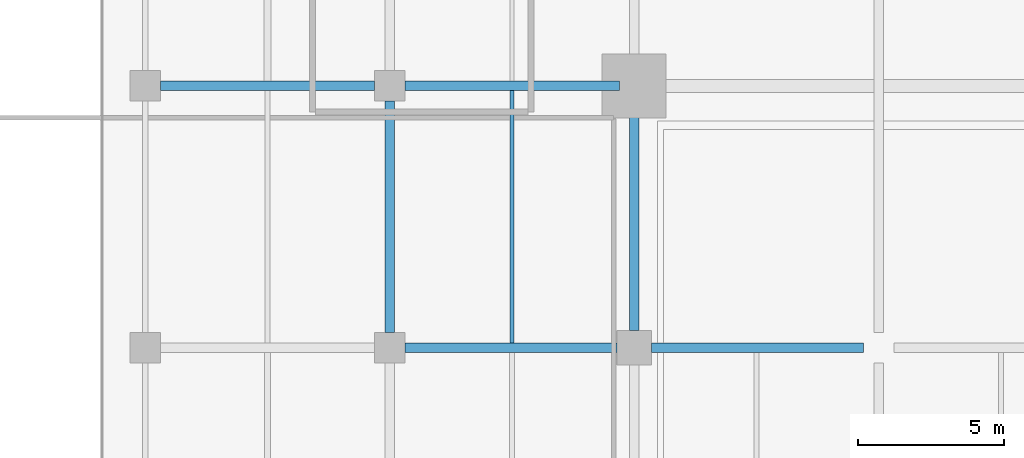
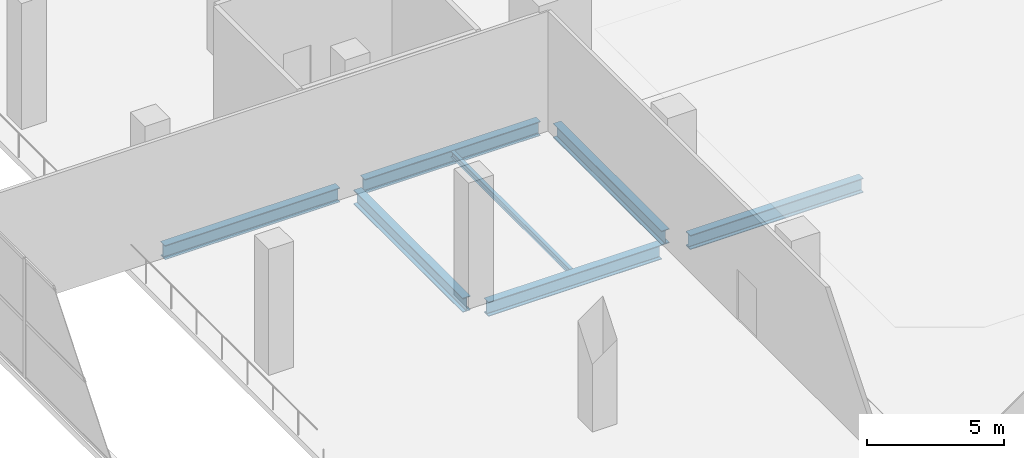
# One storey, part 12 of 35: 7 beams.
"""IFC4 building model written with IfcOpenShell, lengths in metres."""

from ifc_helpers import new_model, si_unit, direction, frame, origin, origin_2d, place, context, subcontext, project, spatial, i_section, extrude, material, material_profile, profile_set, type_object, element, save


model = new_model("IFC4")

# Units and contexts
model_context = context("Model", 3, precision=1e-05, world=origin(), true_north=direction((0.0, 1.0)))
body_context = subcontext(model_context, "Body", "Model", "MODEL_VIEW")
ifc_project = project(units=[si_unit("LENGTHUNIT", "METRE"), si_unit("AREAUNIT", "SQUARE_METRE"), si_unit("VOLUMEUNIT", "CUBIC_METRE"), si_unit("PLANEANGLEUNIT", "RADIAN"), si_unit("MASSUNIT", "GRAM", prefix="KILO")], contexts=[model_context])

# Site, building, storey
site_placement = place(None, origin())
site = spatial("IfcSite", under=ifc_project, at=site_placement, CompositionType="ELEMENT")
building_placement = place(site_placement, origin())
building = spatial("IfcBuilding", under=site, at=building_placement, Name="Maruvema Waterfront Hotel and Observation Tower", CompositionType="ELEMENT")
storey_placement = place(building_placement, origin())
storey = spatial("IfcBuildingStorey", under=building, at=storey_placement, Name="L00", CompositionType="ELEMENT", Elevation=0.0)

# Beams
ifc_material_1 = material(Name="Steel ASTM A572 Grade 50", Category="steel")
ifc_material_profile_1 = material_profile(ifc_material_1, i_section(OverallWidth=0.3291015625, OverallDepth=0.635009765625, WebThickness=0.017822265625, FlangeThickness=0.031005859375, FilletRadius=0.01806640625, at=origin_2d()), Name="W610x241.0")
ifc_profile_set_1 = profile_set([ifc_material_profile_1], Name="Steel ASTM A572 Grade 50")
beam_type_1 = type_object("IfcBeamType", Name="Primary Floor Girder W610x241.0", PredefinedType="BEAM", material=ifc_profile_set_1)
beam_1_placement = place(storey_placement, frame((17.324951171875, 18.0, -0.597412109375), z_axis=(1.0, 0.0, 0.0), x_axis=(0.0, 1.0, 0.0)))
element("IfcBeam", 1, at=beam_1_placement, inside=storey, type_object=beam_type_1, Name="L00 Floor Girder EW-18", PredefinedType="BEAM", context=body_context, shape_type="SweptSolid", body=[
    extrude(i_section(OverallWidth=0.3291015625, OverallDepth=0.635009765625, WebThickness=0.017822265625, FlangeThickness=0.031005859375, FilletRadius=0.01806640625, at=origin_2d()), origin(), (0.0, 0.0, 1.0), 7.275146484375),
])
beam_2_placement = place(storey_placement, frame((25.800048828125, 18.0, -0.597412109375), z_axis=(1.0, 0.0, 0.0), x_axis=(0.0, 1.0, 0.0)))
element("IfcBeam", 2, at=beam_2_placement, inside=storey, type_object=beam_type_1, Name="L00 Floor Girder EW-19", PredefinedType="BEAM", context=body_context, shape_type="SweptSolid", body=[
    extrude(i_section(OverallWidth=0.3291015625, OverallDepth=0.635009765625, WebThickness=0.017822265625, FlangeThickness=0.031005859375, FilletRadius=0.01806640625, at=origin_2d()), origin(), (0.0, 0.0, 1.0), 7.27490234375),
])
beam_3_placement = place(storey_placement, frame((8.925048828125, 27.0, -0.597412109375), z_axis=(1.0, 0.0, 0.0), x_axis=(0.0, 1.0, 0.0)))
element("IfcBeam", 3, at=beam_3_placement, inside=storey, type_object=beam_type_1, Name="L00 Floor Girder EW-24", PredefinedType="BEAM", context=body_context, shape_type="SweptSolid", body=[
    extrude(i_section(OverallWidth=0.3291015625, OverallDepth=0.635009765625, WebThickness=0.017822265625, FlangeThickness=0.031005859375, FilletRadius=0.01806640625, at=origin_2d()), origin(), (0.0, 0.0, 1.0), 7.349853515625),
])
beam_4_placement = place(storey_placement, frame((17.324951171875, 27.0, -0.597412109375), z_axis=(1.0, 0.0, 0.0), x_axis=(0.0, 1.0, 0.0)))
element("IfcBeam", 4, at=beam_4_placement, inside=storey, type_object=beam_type_1, Name="L00 Floor Girder EW-25", PredefinedType="BEAM", context=body_context, shape_type="SweptSolid", body=[
    extrude(i_section(OverallWidth=0.3291015625, OverallDepth=0.635009765625, WebThickness=0.017822265625, FlangeThickness=0.031005859375, FilletRadius=0.01806640625, at=origin_2d()), origin(), (0.0, 0.0, 1.0), 7.375),
])
beam_5_placement = place(storey_placement, frame((16.800048828125, 18.52490234375, -0.597412109375), z_axis=(0.0, 1.0, 0.0), x_axis=(-1.0, 0.0, 0.0)))
element("IfcBeam", 5, at=beam_5_placement, inside=storey, type_object=beam_type_1, Name="L00 Floor Girder NS-09", PredefinedType="BEAM", context=body_context, shape_type="SweptSolid", body=[
    extrude(i_section(OverallWidth=0.3291015625, OverallDepth=0.635009765625, WebThickness=0.017822265625, FlangeThickness=0.031005859375, FilletRadius=0.01806640625, at=origin_2d()), origin(), (0.0, 0.0, 1.0), 7.9501953125),
])
beam_6_placement = place(storey_placement, frame((25.199951171875, 18.60009765625, -0.597412109375), z_axis=(0.0, 1.0, 0.0), x_axis=(-1.0, 0.0, 0.0)))
element("IfcBeam", 6, at=beam_6_placement, inside=storey, type_object=beam_type_1, Name="L00 Floor Girder NS-15", PredefinedType="BEAM", context=body_context, shape_type="SweptSolid", body=[
    extrude(i_section(OverallWidth=0.3291015625, OverallDepth=0.635009765625, WebThickness=0.017822265625, FlangeThickness=0.031005859375, FilletRadius=0.01806640625, at=origin_2d()), origin(), (0.0, 0.0, 1.0), 7.89990234375),
])
ifc_material_2 = material(Name="Steel ASTM A572 Grade 50", Category="steel")
ifc_material_profile_2 = material_profile(ifc_material_2, i_section(OverallWidth=0.14794921875, OverallDepth=0.26611328125, WebThickness=0.007568359375, FlangeThickness=0.012939453125, FilletRadius=0.012939453125, at=origin_2d()), Name="W250x44.8")
ifc_profile_set_2 = profile_set([ifc_material_profile_2], Name="Steel ASTM A572 Grade 50")
beam_type_2 = type_object("IfcBeamType", Name="Secondary Floor Joist W250x44.8", PredefinedType="JOIST", material=ifc_profile_set_2)
beam_7_placement = place(storey_placement, frame((21.0, 18.16455078125, -0.4130859375), z_axis=(0.0, 1.0, 0.0), x_axis=(-1.0, 0.0, 0.0)))
element("IfcBeam", 7, at=beam_7_placement, inside=storey, type_object=beam_type_2, Name="L00 Secondary Floor Joist JS-06", PredefinedType="JOIST", context=body_context, shape_type="SweptSolid", body=[
    extrude(i_section(OverallWidth=0.14794921875, OverallDepth=0.26611328125, WebThickness=0.007568359375, FlangeThickness=0.012939453125, FilletRadius=0.012939453125, at=origin_2d()), origin(), (0.0, 0.0, 1.0), 8.6708984375),
])

save(model, "model.ifc")
